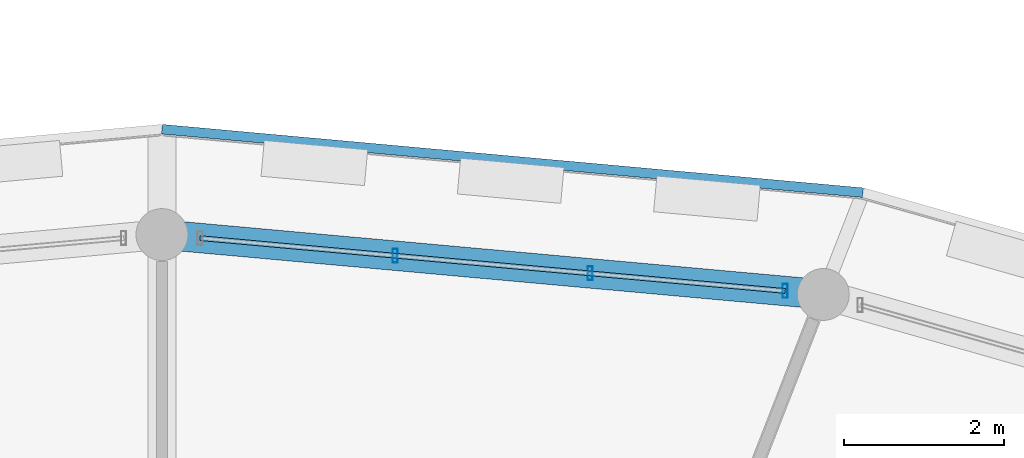
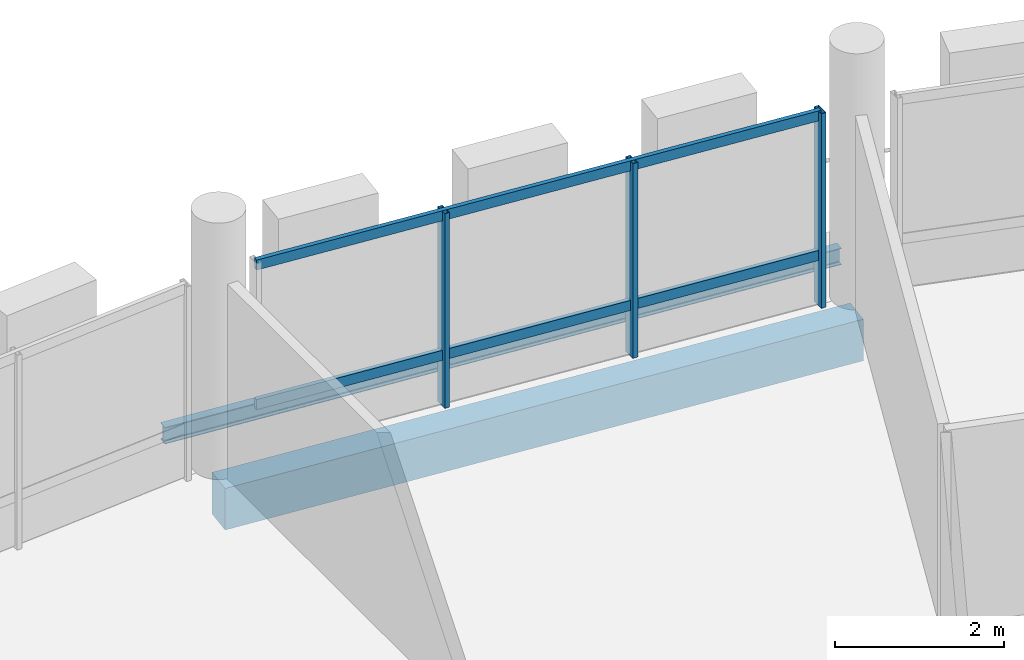
# One storey, part 55 of 84: 5 members, 2 beams, 1 element without a shape of its own.
"""IFC4 building model written with IfcOpenShell, lengths in metres."""

from ifc_helpers import new_model, si_unit, direction, frame, origin, origin_2d, place, context, subcontext, project, spatial, rectangle, hollow_rectangle, i_section, extrude, material, material_profile, profile_set, type_object, element, aggregate, save


model = new_model("IFC4")

# Units and contexts
model_context = context("Model", 3, precision=1e-05, world=origin(), true_north=direction((0.0, 1.0)))
body_context = subcontext(model_context, "Body", "Model", "MODEL_VIEW")
ifc_project = project(units=[si_unit("LENGTHUNIT", "METRE"), si_unit("AREAUNIT", "SQUARE_METRE"), si_unit("VOLUMEUNIT", "CUBIC_METRE"), si_unit("PLANEANGLEUNIT", "RADIAN"), si_unit("MASSUNIT", "GRAM", prefix="KILO")], contexts=[model_context])

# Site, building, storey
site_placement = place(None, origin())
site = spatial("IfcSite", under=ifc_project, at=site_placement, CompositionType="ELEMENT")
building_placement = place(site_placement, origin())
building = spatial("IfcBuilding", under=site, at=building_placement, Name="Zornivar Specialist Clinic", CompositionType="ELEMENT")
storey_placement = place(building_placement, frame((0.0, 0.0, 12.300048828125)))
storey = spatial("IfcBuildingStorey", under=building, at=storey_placement, Name="L03", CompositionType="ELEMENT", Elevation=12.300048828125)

# Beams
ifc_material_1 = material(Name="Concrete C30/37", Category="concrete")
ifc_material_profile_1 = material_profile(ifc_material_1, rectangle(XDim=0.3701171875, YDim=0.60009765625, at=origin_2d()), Name="RC 370x600")
ifc_profile_set_1 = profile_set([ifc_material_profile_1], Name="Concrete C30/37")
beam_type_1 = type_object("IfcBeamType", Name="BM-RC-SPANDREL-370x600", PredefinedType="SPANDREL", material=ifc_profile_set_1)
beam_1_placement = place(storey_placement, frame((101.882080078125, 78.85009765625, -0.5400390625), z_axis=(-0.99592467027, 0.09018897465, 0.0), x_axis=(-0.09018897465, -0.99592467027, 0.0)))
element("IfcBeam", 1, at=beam_1_placement, inside=storey, type_object=beam_type_1, Name="bm:V1:L03:outring:05", PredefinedType="SPANDREL", context=body_context, shape_type="SweptSolid", body=[
    extrude(rectangle(XDim=0.3701171875, YDim=0.60009765625, at=origin_2d()), origin(), (0.0, 0.0, 1.0), 8.31591796875),
])
ifc_material_2 = material(Name="Steel S355J2", Category="steel")
ifc_material_profile_2 = material_profile(ifc_material_2, i_section(OverallWidth=0.1201171875, OverallDepth=0.239990234375, WebThickness=0.006103515625, FlangeThickness=0.009765625, FilletRadius=0.014892578125, at=origin_2d()), Name="IPE 240")
ifc_profile_set_2 = profile_set([ifc_material_profile_2], Name="Steel S355J2")
beam_type_2 = type_object("IfcBeamType", Name="BM-STL-IPE240", PredefinedType="JOIST", material=ifc_profile_set_2)
beam_2_placement = place(storey_placement, frame((102.37890625, 80.125, -0.360107421875), z_axis=(-0.995925380717, 0.090181129084, 0.0), x_axis=(-0.090181129084, -0.995925380717, 0.0)))
element("IfcBeam", 2, at=beam_2_placement, inside=storey, type_object=beam_type_2, Name="bm:V1:L03:balring:05", PredefinedType="JOIST", context=body_context, shape_type="SweptSolid", body=[
    extrude(i_section(OverallWidth=0.1201171875, OverallDepth=0.239990234375, WebThickness=0.006103515625, FlangeThickness=0.009765625, FilletRadius=0.014892578125, at=origin_2d()), origin(), (0.0, 0.0, 1.0), 8.814697265625),
])

# Curtain wall, members
ifc_material_3 = material(Name="Aluminium and Low-E Glass Curtain Wall", Category="aluminium")
curtain_wall_type = type_object("IfcCurtainWallType", Name="CW-DRUM-FACET", PredefinedType="NOTDEFINED", material=ifc_material_3)
curtain_wall_placement = place(storey_placement, origin())
curtain_wall = element("IfcCurtainWall", 3, at=curtain_wall_placement, inside=storey, type_object=curtain_wall_type, Name="cw:V1:L03:c05", PredefinedType="NOTDEFINED")
ifc_material_4 = material(Name="Aluminium AW-6060", Category="aluminium")
ifc_material_profile_3 = material_profile(ifc_material_4, hollow_rectangle(XDim=0.06494140625, YDim=0.175048828125, WallThickness=0.00439453125, at=origin_2d()), Name="ALU 65x175x4.5")
ifc_profile_set_3 = profile_set([ifc_material_profile_3], Name="Aluminium AW-6060")
member_type_1 = type_object("IfcMemberType", Name="CWM-MUL-175", PredefinedType="MULLION", material=ifc_profile_set_3)
member_1_placement = place(storey_placement, frame((101.404052734375, 78.89404296875, 0.0), z_axis=(0.0, 0.0, 1.0), x_axis=(1.0, 0.0, 0.0)))
member_1 = element("IfcMember", 4, at=member_1_placement, type_object=member_type_1, Name="cw:V1:L03:c05:mul:0", PredefinedType="MULLION", context=body_context, shape_type="SweptSolid", body=[
    extrude(hollow_rectangle(XDim=0.06494140625, YDim=0.175048828125, WallThickness=0.00439453125, at=origin_2d()), origin(), (0.0, 0.0, 1.0), 2.81005859375),
])
member_2_placement = place(storey_placement, frame((98.9619140625, 79.114990234375, 0.0), z_axis=(0.0, 0.0, 1.0), x_axis=(1.0, 0.0, 0.0)))
member_2 = element("IfcMember", 5, at=member_2_placement, type_object=member_type_1, Name="cw:V1:L03:c05:mul:1", PredefinedType="MULLION", context=body_context, shape_type="SweptSolid", body=[
    extrude(hollow_rectangle(XDim=0.06494140625, YDim=0.175048828125, WallThickness=0.00439453125, at=origin_2d()), origin(), (0.0, 0.0, 1.0), 2.81005859375),
])
member_3_placement = place(storey_placement, frame((96.52001953125, 79.3359375, 0.0), z_axis=(0.0, 0.0, 1.0), x_axis=(1.0, 0.0, 0.0)))
member_3 = element("IfcMember", 6, at=member_3_placement, type_object=member_type_1, Name="cw:V1:L03:c05:mul:2", PredefinedType="MULLION", context=body_context, shape_type="SweptSolid", body=[
    extrude(hollow_rectangle(XDim=0.06494140625, YDim=0.175048828125, WallThickness=0.00439453125, at=origin_2d()), origin(), (0.0, 0.0, 1.0), 2.81005859375),
])
ifc_material_5 = material(Name="Aluminium AW-6060", Category="aluminium")
ifc_material_profile_4 = material_profile(ifc_material_5, hollow_rectangle(XDim=0.06005859375, YDim=0.14501953125, WallThickness=0.00390625, at=origin_2d()), Name="ALU 60x145x4")
ifc_profile_set_4 = profile_set([ifc_material_profile_4], Name="Aluminium AW-6060")
member_type_2 = type_object("IfcMemberType", Name="CWM-TRN-145", PredefinedType="USERDEFINED", material=ifc_profile_set_4)
member_4_placement = place(storey_placement, frame((101.404052734375, 78.89404296875, 0.73095703125), z_axis=(-0.995943921343, 0.089976138722, 0.0), x_axis=(-0.089976138722, -0.995943921343, 0.0)))
member_4 = element("IfcMember", 7, at=member_4_placement, type_object=member_type_2, Name="cw:V1:L03:c05:trn:0", ObjectType="TRANSOM", PredefinedType="USERDEFINED", context=body_context, shape_type="SweptSolid", body=[
    extrude(hollow_rectangle(XDim=0.06005859375, YDim=0.14501953125, WallThickness=0.00390625, at=origin_2d()), origin(), (0.0, 0.0, 1.0), 7.35595703125),
])
member_5_placement = place(storey_placement, frame((101.404052734375, 78.89404296875, 2.744873046875), z_axis=(-0.995943921343, 0.089976138722, 0.0), x_axis=(-0.089976138722, -0.995943921343, 0.0)))
member_5 = element("IfcMember", 8, at=member_5_placement, type_object=member_type_2, Name="cw:V1:L03:c05:trn:1", ObjectType="TRANSOM", PredefinedType="USERDEFINED", context=body_context, shape_type="SweptSolid", body=[
    extrude(hollow_rectangle(XDim=0.06005859375, YDim=0.14501953125, WallThickness=0.00390625, at=origin_2d()), origin(), (0.0, 0.0, 1.0), 7.35595703125),
])
aggregate(curtain_wall, [member_1, member_2, member_3, member_4, member_5])

save(model, "model.ifc")
